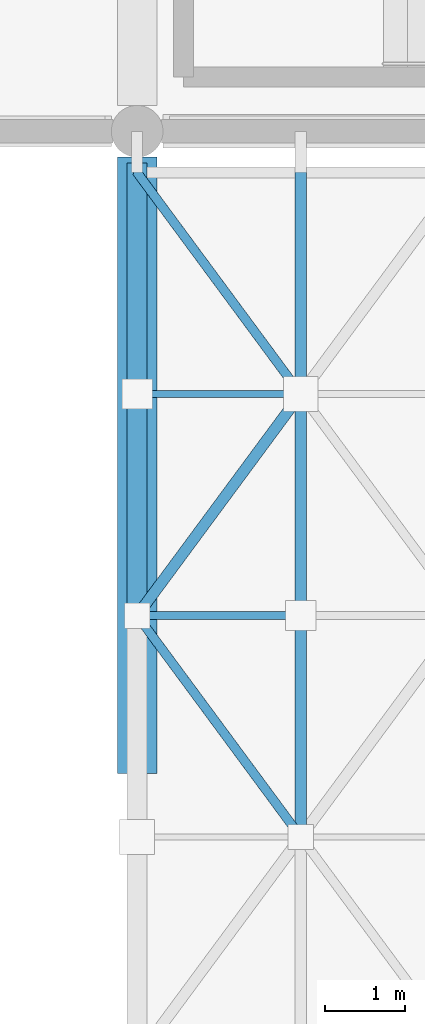
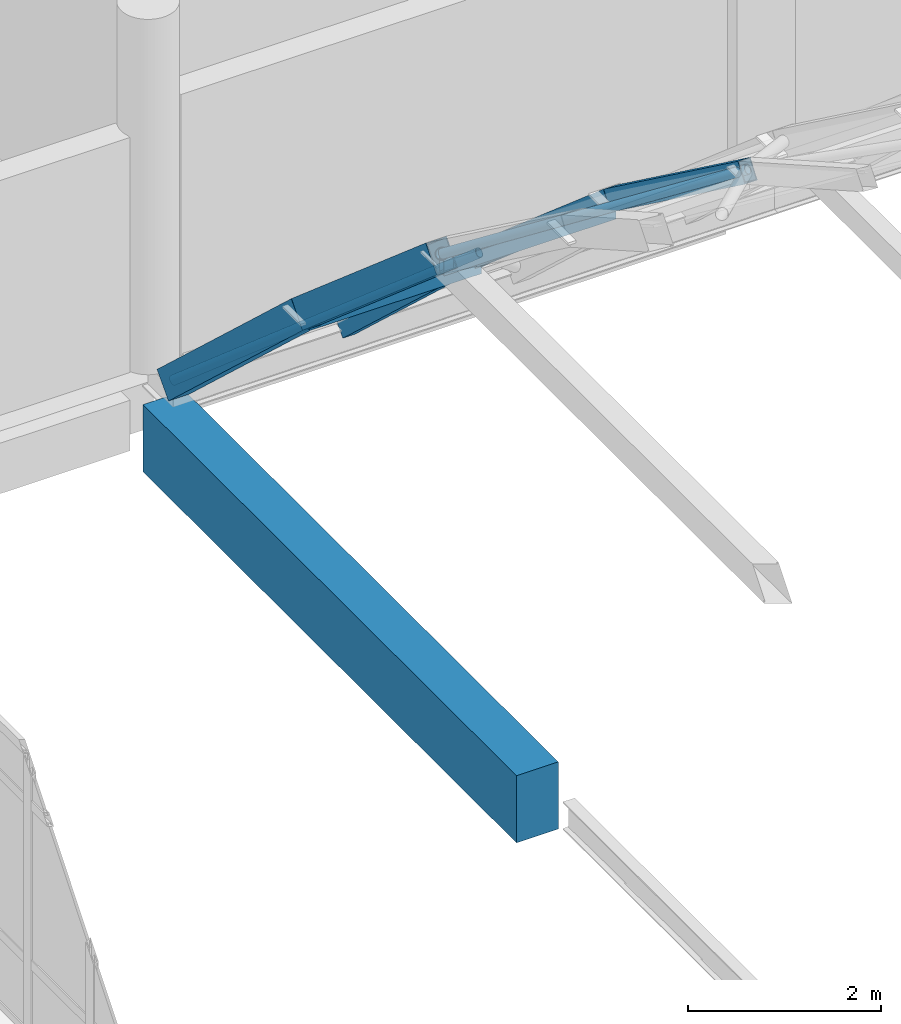
# One storey, part 32 of 87: 10 members, 1 beam.
"""IFC4 building model written with IfcOpenShell, lengths in metres."""

from ifc_helpers import new_model, si_unit, direction, frame, origin, origin_2d, place, context, subcontext, project, spatial, rectangle, hollow_rectangle, hollow_circle, extrude, material, material_profile, profile_set, type_object, element, save


model = new_model("IFC4")

# Units and contexts
model_context = context("Model", 3, precision=1e-05, world=origin(), true_north=direction((0.0, 1.0)))
body_context = subcontext(model_context, "Body", "Model", "MODEL_VIEW")
ifc_project = project(units=[si_unit("LENGTHUNIT", "METRE"), si_unit("AREAUNIT", "SQUARE_METRE"), si_unit("VOLUMEUNIT", "CUBIC_METRE"), si_unit("PLANEANGLEUNIT", "RADIAN"), si_unit("MASSUNIT", "GRAM", prefix="KILO")], contexts=[model_context])

# Site, building, storey
site_placement = place(None, origin())
site = spatial("IfcSite", under=ifc_project, at=site_placement, CompositionType="ELEMENT")
building_placement = place(site_placement, origin())
building = spatial("IfcBuilding", under=site, at=building_placement, Name="Kalluvel Institute of Natural Sciences", CompositionType="ELEMENT")
storey_placement = place(building_placement, frame((0.0, 0.0, 18.89990234375)))
storey = spatial("IfcBuildingStorey", under=building, at=storey_placement, Name="L04", CompositionType="ELEMENT", Elevation=18.89990234375)

# Beam
ifc_material_1 = material(Name="Concrete M50", Category="concrete")
ifc_material_profile_1 = material_profile(ifc_material_1, rectangle(XDim=0.5, YDim=0.85009765625, at=origin_2d()), Name="RCB 500x850")
ifc_profile_set_1 = profile_set([ifc_material_profile_1], Name="Concrete M50")
beam_type = type_object("IfcBeamType", Name="BM-RC500x850", PredefinedType="BEAM", material=ifc_profile_set_1)
beam_placement = place(storey_placement, frame((42.800048828125, 86.324951171875, -0.744873046875), z_axis=(0.0, 1.0, 0.0), x_axis=(-1.0, 0.0, 0.0)))
element("IfcBeam", 1, at=beam_placement, inside=storey, type_object=beam_type, Name="L04 girder GIR-L04-NS-X428-Y860", PredefinedType="BEAM", context=body_context, shape_type="SweptSolid", body=[
    extrude(rectangle(XDim=0.5, YDim=0.85009765625, at=origin_2d()), origin(), (0.0, 0.0, 1.0), 7.75),
])

# Members
ifc_material_2 = material(Name="Steel E350 Grade 350", Category="steel")
ifc_material_profile_2 = material_profile(ifc_material_2, hollow_rectangle(XDim=0.14990234375, YDim=0.25, WallThickness=0.010009765625, at=origin_2d()), Name="RHS 250x150x10")
ifc_profile_set_2 = profile_set([ifc_material_profile_2], Name="Steel E350 Grade 350")
member_type_1 = type_object("IfcMemberType", Name="MB-ARCH-SEG250", PredefinedType="USERDEFINED", material=ifc_profile_set_2)
member_1_placement = place(storey_placement, frame((44.857177734375, 85.52490234375, 7.018310546875), z_axis=(0.0, 0.806535340499, -0.591185879843), x_axis=(-1.0, 0.0, 0.0)))
element("IfcMember", 2, at=member_1_placement, inside=storey, type_object=member_type_1, Name="Atrium gridshell pointed arch segment 14", ObjectType="ARCH_SEGMENT", PredefinedType="USERDEFINED", context=body_context, shape_type="SweptSolid", body=[
    extrude(hollow_rectangle(XDim=0.14990234375, YDim=0.25, WallThickness=0.010009765625, at=origin_2d()), origin(), (0.0, 0.0, 1.0), 3.453125),
])
member_2_placement = place(storey_placement, frame((44.857177734375, 88.31005859375, 4.976806640625), z_axis=(0.0, 0.758448754264, -0.651732680748), x_axis=(-1.0, 0.0, 0.0)))
element("IfcMember", 3, at=member_2_placement, inside=storey, type_object=member_type_1, Name="Atrium gridshell pointed arch segment 15", ObjectType="ARCH_SEGMENT", PredefinedType="USERDEFINED", context=body_context, shape_type="SweptSolid", body=[
    extrude(hollow_rectangle(XDim=0.14990234375, YDim=0.25, WallThickness=0.010009765625, at=origin_2d()), origin(), (0.0, 0.0, 1.0), 3.671875),
])
member_3_placement = place(storey_placement, frame((44.857177734375, 91.094970703125, 2.583740234375), z_axis=(0.0, 0.733088696682, -0.680133047864), x_axis=(-1.0, 0.0, 0.0)))
element("IfcMember", 4, at=member_3_placement, inside=storey, type_object=member_type_1, Name="Atrium gridshell pointed arch segment 16", ObjectType="ARCH_SEGMENT", PredefinedType="USERDEFINED", context=body_context, shape_type="SweptSolid", body=[
    extrude(hollow_rectangle(XDim=0.14990234375, YDim=0.25, WallThickness=0.010009765625, at=origin_2d()), origin(), (0.0, 0.0, 1.0), 3.798828125),
])
ifc_material_profile_3 = material_profile(ifc_material_2, hollow_rectangle(XDim=0.25, YDim=0.35009765625, WallThickness=0.012451171875, at=origin_2d()), Name="RHS 350x250x12")
ifc_profile_set_3 = profile_set([ifc_material_profile_3], Name="Steel E350 Grade 350")
member_type_2 = type_object("IfcMemberType", Name="MB-ARCH-SEG350", PredefinedType="USERDEFINED", material=ifc_profile_set_3)
member_4_placement = place(storey_placement, frame((42.800048828125, 88.31005859375, 4.976806640625), z_axis=(0.0, 0.758448754264, -0.651732680748), x_axis=(-1.0, 0.0, 0.0)))
element("IfcMember", 5, at=member_4_placement, inside=storey, type_object=member_type_2, Name="Atrium gridshell pointed arch segment 7", ObjectType="ARCH_SEGMENT", PredefinedType="USERDEFINED", context=body_context, shape_type="SweptSolid", body=[
    extrude(hollow_rectangle(XDim=0.25, YDim=0.35009765625, WallThickness=0.012451171875, at=origin_2d()), origin(), (0.0, 0.0, 1.0), 3.671875),
])
member_5_placement = place(storey_placement, frame((42.800048828125, 91.094970703125, 2.583740234375), z_axis=(0.0, 0.733088696682, -0.680133047864), x_axis=(-1.0, 0.0, 0.0)))
element("IfcMember", 6, at=member_5_placement, inside=storey, type_object=member_type_2, Name="Atrium gridshell pointed arch segment 8", ObjectType="ARCH_SEGMENT", PredefinedType="USERDEFINED", context=body_context, shape_type="SweptSolid", body=[
    extrude(hollow_rectangle(XDim=0.25, YDim=0.35009765625, WallThickness=0.012451171875, at=origin_2d()), origin(), (0.0, 0.0, 1.0), 3.798828125),
])
ifc_material_profile_4 = material_profile(ifc_material_2, hollow_circle(Radius=0.05712890625, WallThickness=0.006103515625, at=origin_2d()), Name="CHS 114.3x6.0")
ifc_profile_set_4 = profile_set([ifc_material_profile_4], Name="Steel E350 Grade 350")
member_type_3 = type_object("IfcMemberType", Name="MB-BR-CHS114", PredefinedType="BRACE", material=ifc_profile_set_4)
member_6_placement = place(storey_placement, frame((44.857177734375, 85.52490234375, 7.038330078125), z_axis=(-0.51178357928, 0.692906132498, -0.507896307849), x_axis=(-0.804378315597, -0.594117434013, 0.0)))
element("IfcMember", 7, at=member_6_placement, inside=storey, type_object=member_type_3, Name="Atrium gridshell diagonal brace 6", PredefinedType="BRACE", context=body_context, shape_type="SweptSolid", body=[
    extrude(hollow_circle(Radius=0.05712890625, WallThickness=0.006103515625, at=origin_2d()), origin(), (0.0, 0.0, 1.0), 4.01953125),
])
member_7_placement = place(storey_placement, frame((44.857177734375, 91.094970703125, 2.603759765625), z_axis=(-0.476176678593, 0.644641273761, -0.598074743597), x_axis=(-0.804353425168, -0.594151131802, 0.0)))
element("IfcMember", 8, at=member_7_placement, inside=storey, type_object=member_type_3, Name="Atrium gridshell diagonal brace 8", PredefinedType="BRACE", context=body_context, shape_type="SweptSolid", body=[
    extrude(hollow_circle(Radius=0.05712890625, WallThickness=0.006103515625, at=origin_2d()), origin(), (0.0, 0.0, 1.0), 4.320068359375),
])
ifc_material_profile_5 = material_profile(ifc_material_2, hollow_circle(Radius=0.06982421875, WallThickness=0.008056640625, at=origin_2d()), Name="CHS 139.7x8.0")
ifc_profile_set_5 = profile_set([ifc_material_profile_5], Name="Steel E350 Grade 350")
member_type_4 = type_object("IfcMemberType", Name="MB-BR-CHS139", PredefinedType="BRACE", material=ifc_profile_set_5)
member_8_placement = place(storey_placement, frame((42.800048828125, 88.31005859375, 4.996826171875), z_axis=(0.488764589812, 0.661682610489, -0.568581831158), x_axis=(-0.804353425168, 0.594151131802, 0.0)))
element("IfcMember", 9, at=member_8_placement, inside=storey, type_object=member_type_4, Name="Atrium gridshell diagonal brace 7", PredefinedType="BRACE", context=body_context, shape_type="SweptSolid", body=[
    extrude(hollow_circle(Radius=0.06982421875, WallThickness=0.008056640625, at=origin_2d()), origin(), (0.0, 0.0, 1.0), 4.208740234375),
])
ifc_material_profile_6 = material_profile(ifc_material_2, hollow_rectangle(XDim=0.090087890625, YDim=0.159912109375, WallThickness=0.008056640625, at=origin_2d()), Name="RHS 160x90x8")
ifc_profile_set_6 = profile_set([ifc_material_profile_6], Name="Steel E350 Grade 350")
member_type_5 = type_object("IfcMemberType", Name="MB-PURL-RHS160", PredefinedType="PURLIN", material=ifc_profile_set_6)
member_9_placement = place(storey_placement, frame((42.800048828125, 91.094970703125, 2.443603515625), z_axis=(1.0, 0.0, 0.0), x_axis=(0.0, 1.0, 0.0)))
element("IfcMember", 10, at=member_9_placement, inside=storey, type_object=member_type_5, Name="Atrium gridshell longitudinal purlin 7", PredefinedType="PURLIN", context=body_context, shape_type="SweptSolid", body=[
    extrude(hollow_rectangle(XDim=0.090087890625, YDim=0.159912109375, WallThickness=0.008056640625, at=origin_2d()), origin(), (0.0, 0.0, 1.0), 2.05712890625),
])
ifc_material_profile_7 = material_profile(ifc_material_2, hollow_rectangle(XDim=0.10009765625, YDim=0.179931640625, WallThickness=0.008056640625, at=origin_2d()), Name="RHS 180x100x8")
ifc_profile_set_7 = profile_set([ifc_material_profile_7], Name="Steel E350 Grade 350")
member_type_6 = type_object("IfcMemberType", Name="MB-PURL-RHS180", PredefinedType="PURLIN", material=ifc_profile_set_7)
member_10_placement = place(storey_placement, frame((42.800048828125, 88.31005859375, 4.8369140625), z_axis=(1.0, 0.0, 0.0), x_axis=(0.0, 1.0, 0.0)))
element("IfcMember", 11, at=member_10_placement, inside=storey, type_object=member_type_6, Name="Atrium gridshell longitudinal purlin 6", PredefinedType="PURLIN", context=body_context, shape_type="SweptSolid", body=[
    extrude(hollow_rectangle(XDim=0.10009765625, YDim=0.179931640625, WallThickness=0.008056640625, at=origin_2d()), origin(), (0.0, 0.0, 1.0), 2.05712890625),
])

save(model, "model.ifc")
